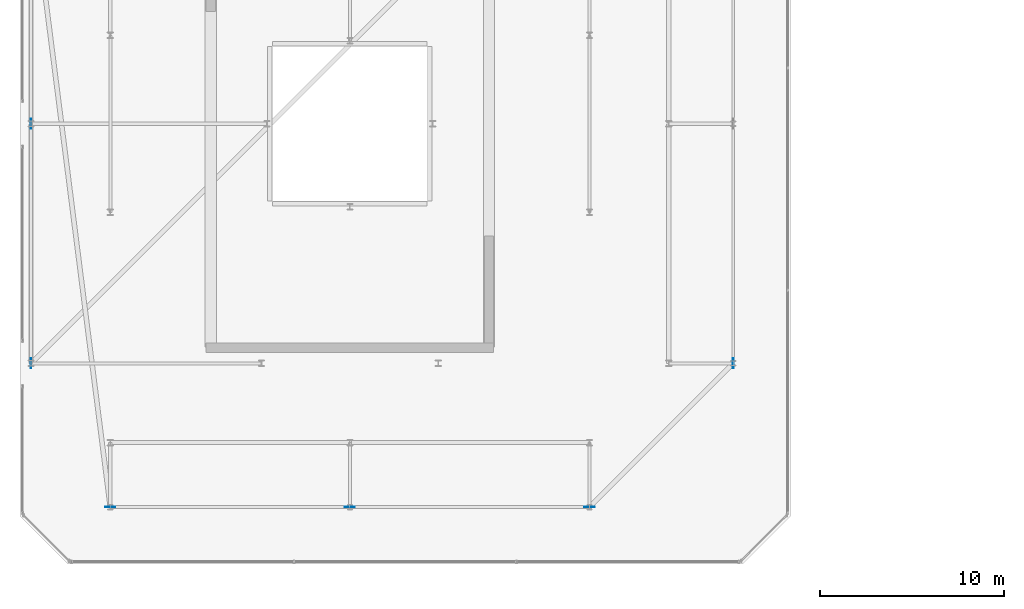
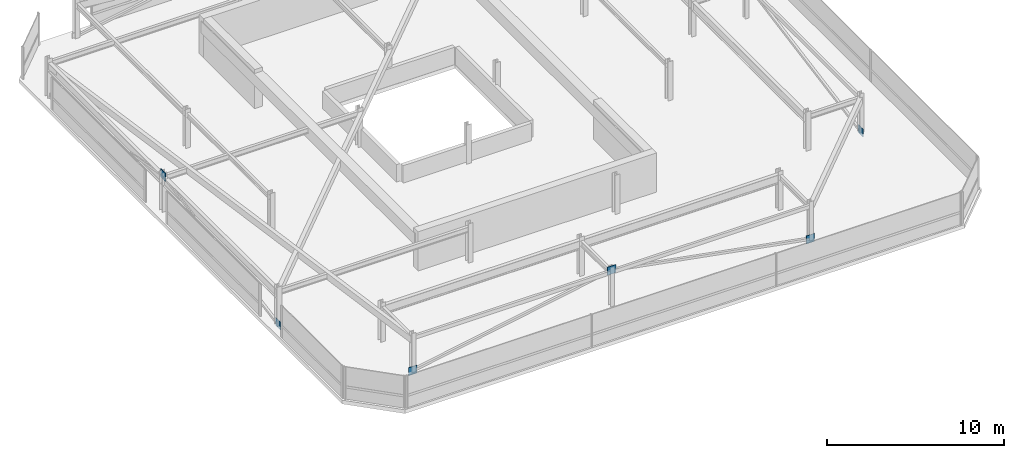
# One storey, part 40 of 44: 6 plates.
"""IFC4 building model written with IfcOpenShell, lengths in metres."""

from ifc_helpers import new_model, si_unit, direction, frame, origin, origin_2d, place, context, subcontext, project, spatial, rectangle, extrude, material, layer, layer_set, type_object, element, save


model = new_model("IFC4")

# Units and contexts
model_context = context("Model", 3, precision=1e-05, world=origin(), true_north=direction((0.0, 1.0)))
body_context = subcontext(model_context, "Body", "Model", "MODEL_VIEW")
ifc_project = project(units=[si_unit("LENGTHUNIT", "METRE"), si_unit("AREAUNIT", "SQUARE_METRE"), si_unit("VOLUMEUNIT", "CUBIC_METRE"), si_unit("PLANEANGLEUNIT", "RADIAN"), si_unit("MASSUNIT", "GRAM", prefix="KILO")], contexts=[model_context])

# Site, building, storey
site_placement = place(None, origin())
site = spatial("IfcSite", under=ifc_project, at=site_placement, CompositionType="ELEMENT")
building_placement = place(site_placement, origin())
building = spatial("IfcBuilding", under=site, at=building_placement, Name="Thornwick Lancets Civic Towers", CompositionType="ELEMENT")
storey_placement = place(building_placement, frame((0.0, 0.0, 294.89990234375)))
storey = spatial("IfcBuildingStorey", under=building, at=storey_placement, Name="C06", CompositionType="ELEMENT", Elevation=294.89990234375)

# Plates
ifc_material = material(Name="Steel S460M", Category="steel")
ifc_layer = layer(ifc_material, 0.0400390625, Name="Steel S460M")
ifc_layer_set = layer_set([ifc_layer], Name="Steel S460M")
plate_type = type_object("IfcPlateType", Name="PLT_GUSSET_40", PredefinedType="USERDEFINED", material=ifc_layer_set)
for number, where, z_axis, x_axis, name in (
    (1, (12.5, 6.199951171875, -0.22509765625), (0.0, 0.0, 1.0), (1.0, 0.0, 0.0), "C06 Brace Connection Gusset Plate 0557"),
    (2, (25.5, 6.199951171875, 2.1650390625), (0.0, 0.0, 1.0), (1.0, 0.0, 0.0), "C06 Brace Connection Gusset Plate 0558"),
    (3, (38.5, 6.199951171875, -0.22509765625), (0.0, 0.0, 1.0), (-1.0, 0.0, 0.0), "C06 Brace Connection Gusset Plate 0559"),
    (4, (46.300048828125, 14.0, -0.22509765625), (0.0, 0.0, 1.0), (0.0, 1.0, 0.0), "C06 Brace Connection Gusset Plate 0560"),
    (5, (8.199951171875, 14.0, -0.22509765625), (0.0, 0.0, 1.0), (0.0, 1.0, 0.0), "C06 Brace Connection Gusset Plate 0566"),
    (6, (8.199951171875, 27.0, 2.1650390625), (0.0, 0.0, 1.0), (0.0, 1.0, 0.0), "C06 Brace Connection Gusset Plate 0567"),
):
    element("IfcPlate", number, at=place(storey_placement, frame(where, z_axis=z_axis, x_axis=x_axis)), inside=storey, type_object=plate_type, Name=name, ObjectType="GUSSET_PLATE", PredefinedType="USERDEFINED", context=body_context, shape_type="SweptSolid", body=[
        extrude(rectangle(XDim=0.550048828125, YDim=0.0400390625, at=origin_2d()), origin(), (0.0, 0.0, 1.0), 0.550048828125),
    ])

save(model, "model.ifc")
